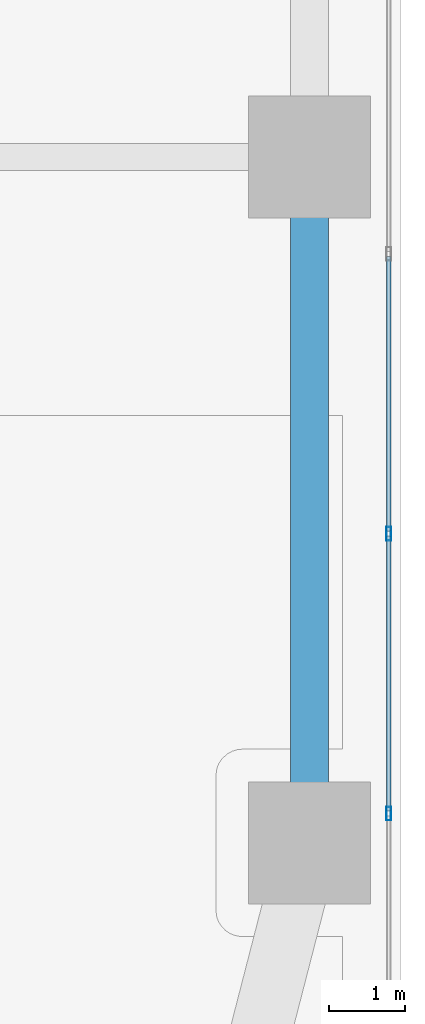
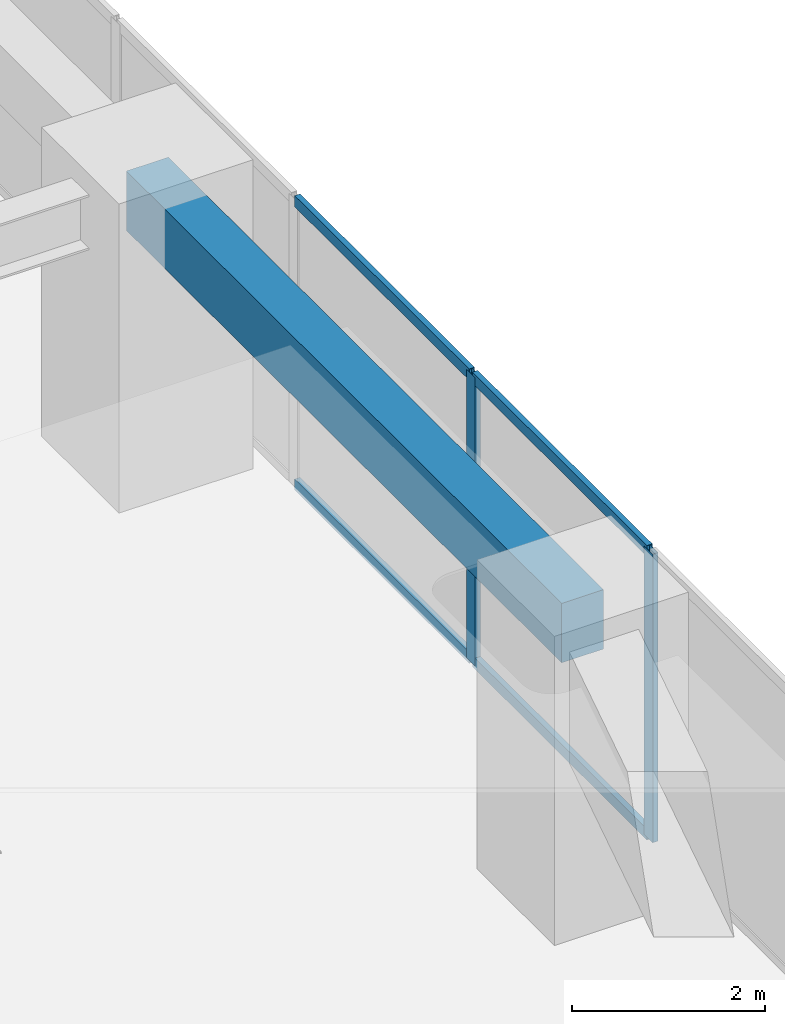
# One storey, part 6 of 28: 6 members, 1 beam, 1 element without a shape of its own.
"""IFC4 building model written with IfcOpenShell, lengths in metres."""

import ifcopenshell
import ifcopenshell.guid

model = None  # the IFC model being written
_history = None  # IfcOwnerHistory: only IFC2X3 demands one
_inside = {}  # id of a spatial element -> (the spatial element, [elements in it])
_under = {}  # id of a project, library or spatial element -> (it, [spatial elements below it])
_declared = {}  # id of a project -> (the project, [libraries it declares])
_typed = {}  # id of a type object -> (the type object, [elements of that type])
_made_of = {}  # id of a material, layer set ... -> (it, [elements and type objects made of it])


def new_model(schema):
    """Start an empty IFC model of exactly this schema.

    Asked for "IFC4X3", IfcOpenShell would pick the latest addendum, in which some entities
    have other attributes; the version numbers below select the first issue.
    IFC2X3 requires an IfcOwnerHistory on every rooted entity: one is made here for all.
    """
    global model, _history
    if schema == "IFC4X3":
        model = ifcopenshell.file(schema_version=(4, 3, 0, 0))
    else:
        model = ifcopenshell.file(schema=schema)
    _inside.clear()
    _under.clear()
    _declared.clear()
    _typed.clear()
    _made_of.clear()
    _history = None
    if model.schema == "IFC2X3":
        org = make("IfcOrganization", Name="unknown")
        user = make(
            "IfcPersonAndOrganization",
            ThePerson=make("IfcPerson", FamilyName="unknown"),
            TheOrganization=org,
        )
        app = make(
            "IfcApplication",
            ApplicationDeveloper=org,
            Version="unknown",
            ApplicationFullName="unknown",
            ApplicationIdentifier="unknown",
        )
        _history = make(
            "IfcOwnerHistory",
            OwningUser=user,
            OwningApplication=app,
            ChangeAction="ADDED",
            CreationDate=0,
        )
    return model


def make(cls, **values):
    """One entity of the class cls with the attributes given. An attribute that is None is left unset."""
    return model.create_entity(
        cls, **{name: value for name, value in values.items() if value is not None}
    )


def rooted(cls, **values):
    """An entity with a GlobalId (a new one), such as an element, a storey or a relation."""
    return make(cls, GlobalId=ifcopenshell.guid.new(), OwnerHistory=_history, **values)


def si_unit(unit_type, name, prefix=None):
    """IfcSIUnit, for example si_unit("LENGTHUNIT", "METRE", prefix="MILLI")."""
    return make("IfcSIUnit", UnitType=unit_type, Prefix=prefix, Name=name)


def assignment(units):
    """IfcUnitAssignment: the units of a project."""
    return None if units is None else make("IfcUnitAssignment", Units=units)


def point(xyz):
    """IfcCartesianPoint."""
    return None if xyz is None else make("IfcCartesianPoint", Coordinates=xyz)


def direction(xyz):
    """IfcDirection."""
    return None if xyz is None else make("IfcDirection", DirectionRatios=xyz)


def frame(location, z_axis=None, x_axis=None):
    """IfcAxis2Placement3D, a coordinate frame: its origin and axes. An axis left out is left unset."""
    return make(
        "IfcAxis2Placement3D",
        Location=point(location),
        Axis=direction(z_axis),
        RefDirection=direction(x_axis),
    )


def frame_2d(location, x_axis=None):
    """IfcAxis2Placement2D, a coordinate frame in the plane: its origin and x axis."""
    return make(
        "IfcAxis2Placement2D", Location=point(location), RefDirection=direction(x_axis)
    )


def origin():
    """The frame at (0, 0, 0) with its axes left unset."""
    return frame((0.0, 0.0, 0.0))


def origin_2d():
    """The frame at (0, 0) in the plane with its x axis left unset."""
    return frame_2d((0.0, 0.0))


def place(relative_to, where):
    """IfcLocalPlacement: puts the frame where relative to a parent placement (None: the world)."""
    return make(
        "IfcLocalPlacement", PlacementRelTo=relative_to, RelativePlacement=where
    )


def context(
    kind, dimensions, precision=None, world=None, true_north=None, identifier=None
):
    """IfcGeometricRepresentationContext, for example the 3D "Model" context."""
    return make(
        "IfcGeometricRepresentationContext",
        ContextIdentifier=identifier,
        ContextType=kind,
        CoordinateSpaceDimension=dimensions,
        Precision=precision,
        WorldCoordinateSystem=world,
        TrueNorth=true_north,
    )


def subcontext(parent, identifier, kind, view, scale=None):
    """IfcGeometricRepresentationSubContext, for example "Body" below "Model"."""
    return make(
        "IfcGeometricRepresentationSubContext",
        ContextIdentifier=identifier,
        ContextType=kind,
        ParentContext=parent,
        TargetScale=scale,
        TargetView=view,
    )


def project(units=None, contexts=None):
    """IfcProject with its units and contexts."""
    return rooted(
        "IfcProject",
        Name="project",
        RepresentationContexts=contexts,
        UnitsInContext=assignment(units),
    )


def spatial(cls, under=None, at=None, **own):
    """A site, building, storey or space (cls), placed at a placement, below another one or the project."""
    s = rooted(cls, ObjectPlacement=at, **own)
    if under is not None:
        _under.setdefault(under.id(), (under, []))[1].append(s)
    return s


def profile(cls, at=None, kind="AREA", **sizes):
    """A parametric profile (cls). Its sizes go by their IFC names, for example OverallWidth=200.0."""
    return make(cls, ProfileType=kind, Position=at, **sizes)


def rectangle(**sizes):
    """IfcRectangleProfileDef."""
    return profile("IfcRectangleProfileDef", **sizes)


def hollow_rectangle(**sizes):
    """IfcRectangleHollowProfileDef."""
    return profile("IfcRectangleHollowProfileDef", **sizes)


def extrude(swept, where, along, depth):
    """IfcExtrudedAreaSolid: the profile swept, set in the frame where, extruded along a direction by depth."""
    return make(
        "IfcExtrudedAreaSolid",
        SweptArea=swept,
        Position=where,
        ExtrudedDirection=direction(along),
        Depth=depth,
    )


def shape(context_of_items, identifier, shape_type, items):
    """IfcShapeRepresentation: the items that make up one representation, for example the "Body"."""
    return make(
        "IfcShapeRepresentation",
        ContextOfItems=context_of_items,
        RepresentationIdentifier=identifier,
        RepresentationType=shape_type,
        Items=items,
    )


def material(Name=None, Category=None):
    """IfcMaterial."""
    return make("IfcMaterial", Name=Name, Category=Category)


def layer(
    of_material, thickness, ventilated=None, Name=None, Category=None, Priority=None
):
    """IfcMaterialLayer: one layer of a wall or slab, of a material (None: an air gap)."""
    return make(
        "IfcMaterialLayer",
        Material=of_material,
        LayerThickness=thickness,
        IsVentilated=ventilated,
        Name=Name,
        Category=Category,
        Priority=Priority,
    )


def layer_set(layers, Name=None):
    """IfcMaterialLayerSet."""
    return make("IfcMaterialLayerSet", MaterialLayers=layers, LayerSetName=Name)


def material_profile(
    of_material, cross_section, Name=None, Category=None, Priority=None
):
    """IfcMaterialProfile: a cross section and its material."""
    return make(
        "IfcMaterialProfile",
        Name=Name,
        Material=of_material,
        Profile=cross_section,
        Priority=Priority,
        Category=Category,
    )


def profile_set(profiles, Name=None, composite=None):
    """IfcMaterialProfileSet."""
    return make(
        "IfcMaterialProfileSet",
        Name=Name,
        MaterialProfiles=profiles,
        CompositeProfile=composite,
    )


def made_of(thing, what):
    """Note that an element or type object is made of a material, layer set ...; save() writes the relation."""
    if what is not None:
        _made_of.setdefault(what.id(), (what, []))[1].append(thing)
    return thing


def type_object(cls, material=None, **own):
    """A type object (cls), such as IfcWallType, which elements share."""
    return made_of(rooted(cls, **own), material)


def element(
    cls,
    number,
    at=None,
    inside=None,
    cuts=None,
    type_object=None,
    material=None,
    context=None,
    identifier="Body",
    shape_type=None,
    held_by="IfcProductDefinitionShape",
    body=None,
    shapes=None,
    **own,
):
    """One element of the class cls, such as IfcWall. Its Tag is "e" and its number.

    at: its placement. inside: the storey or other place that contains it. cuts: it is an
    opening in that element (IfcRelVoidsElement). A single representation is given by context,
    identifier, shape_type and body (its items); several are given by shapes. held_by: the class
    of the entity that holds the representations. save() writes the other relations.
    """
    e = rooted(cls, Tag="e%d" % number, ObjectPlacement=at, **own)
    if body is not None:
        shapes = [shape(context, identifier, shape_type, body)]
    if shapes is not None:
        e.Representation = make(held_by, Representations=shapes)
    if inside is not None:
        _inside.setdefault(inside.id(), (inside, []))[1].append(e)
    if cuts is not None:
        rooted(
            "IfcRelVoidsElement", RelatingBuildingElement=cuts, RelatedOpeningElement=e
        )
    if type_object is not None:
        _typed.setdefault(type_object.id(), (type_object, []))[1].append(e)
    return made_of(e, material)


def aggregate(whole, parts):
    """IfcRelAggregates: a whole, such as a stair, and the parts it consists of."""
    return rooted("IfcRelAggregates", RelatingObject=whole, RelatedObjects=parts)


def save(model, path):
    """Write the relations noted so far, then the file.

    IfcRelAggregates (storeys below a building ...), IfcRelContainedInSpatialStructure (elements
    in a storey), IfcRelDefinesByType, IfcRelAssociatesMaterial and IfcRelDeclares: one each for
    every whole, place, type object, material and project.
    """
    for whole, parts in _under.values():
        aggregate(whole, parts)
    for where, things in _inside.values():
        rooted(
            "IfcRelContainedInSpatialStructure",
            RelatedElements=things,
            RelatingStructure=where,
        )
    for kind, things in _typed.values():
        rooted("IfcRelDefinesByType", RelatedObjects=things, RelatingType=kind)
    for what, things in _made_of.values():
        rooted("IfcRelAssociatesMaterial", RelatedObjects=things, RelatingMaterial=what)
    for by, libraries in _declared.values():
        rooted("IfcRelDeclares", RelatingContext=by, RelatedDefinitions=libraries)
    model.write(path)


model = new_model("IFC4")

# Units and contexts
model_context = context("Model", 3, precision=1e-05, world=origin(), true_north=direction((0.0, 1.0)))
body_context = subcontext(model_context, "Body", "Model", "MODEL_VIEW")
ifc_project = project(units=[si_unit("LENGTHUNIT", "METRE"), si_unit("AREAUNIT", "SQUARE_METRE"), si_unit("VOLUMEUNIT", "CUBIC_METRE"), si_unit("PLANEANGLEUNIT", "RADIAN"), si_unit("MASSUNIT", "GRAM", prefix="KILO")], contexts=[model_context])

# Site, building, storey
site_placement = place(None, origin())
site = spatial("IfcSite", under=ifc_project, at=site_placement, CompositionType="ELEMENT")
building_placement = place(site_placement, origin())
building = spatial("IfcBuilding", under=site, at=building_placement, Name="Kiyonajd Concourse Tower", CompositionType="ELEMENT")
storey_placement = place(building_placement, frame((0.0, 0.0, 64.5)))
storey = spatial("IfcBuildingStorey", under=building, at=storey_placement, Name="L17", CompositionType="ELEMENT", Elevation=64.5)

# Beam
ifc_material_1 = material(Name="Precast concrete C50/60", Category="concrete")
ifc_material_profile_1 = material_profile(ifc_material_1, rectangle(XDim=0.5, YDim=0.75, at=origin_2d()), Name="RCBM-500x750")
ifc_profile_set_1 = profile_set([ifc_material_profile_1], Name="Precast concrete C50/60")
beam_type = type_object("IfcBeamType", Name="BM-SPAN-RC", PredefinedType="SPANDREL", material=ifc_profile_set_1)
beam_placement = place(storey_placement, frame((78.0, 18.60009765625, 3.264892578125), z_axis=(0.0, 1.0, 0.0), x_axis=(-1.0, 0.0, 0.0)))
element("IfcBeam", 1, at=beam_placement, inside=storey, type_object=beam_type, Name="L17 Perimeter Bundled Tube Spandrel", PredefinedType="SPANDREL", context=body_context, shape_type="SweptSolid", body=[
    extrude(rectangle(XDim=0.5, YDim=0.75, at=origin_2d()), origin(), (0.0, 0.0, 1.0), 9.0),
])

# Curtain wall, members
ifc_material_2 = material(Name="Thermally Broken Anodised Aluminium", Category="aluminium")
ifc_layer = layer(ifc_material_2, 0.179931640625)
ifc_layer_set = layer_set([ifc_layer], Name="Thermally Broken Anodised Aluminium")
curtain_wall_type = type_object("IfcCurtainWallType", Name="CW-SYS-02", PredefinedType="NOTDEFINED", material=ifc_layer_set)
curtain_wall_placement = place(storey_placement, origin())
curtain_wall = element("IfcCurtainWall", 2, at=curtain_wall_placement, inside=storey, type_object=curtain_wall_type, Name="L17 Unitised Curtain Wall CW2", PredefinedType="NOTDEFINED")
ifc_material_profile_2 = material_profile(ifc_material_2, hollow_rectangle(XDim=0.06494140625, YDim=0.179931640625, WallThickness=0.00390625, at=origin_2d()), Name="MULL-65x180")
ifc_profile_set_2 = profile_set([ifc_material_profile_2], Name="Thermally Broken Anodised Aluminium")
member_type_1 = type_object("IfcMemberType", Name="MB-CW-MULL1", PredefinedType="MULLION", material=ifc_profile_set_2)
member_1_placement = place(storey_placement, frame((79.0400390625, 22.657470703125, 0.0), z_axis=(0.0, 0.0, 1.0), x_axis=(1.0, 0.0, 0.0)))
member_1 = element("IfcMember", 3, at=member_1_placement, type_object=member_type_1, Name="CW2 mullion 5", PredefinedType="MULLION", context=body_context, shape_type="SweptSolid", body=[
    extrude(hollow_rectangle(XDim=0.06494140625, YDim=0.179931640625, WallThickness=0.00390625, at=origin_2d()), origin(), (0.0, 0.0, 1.0), 3.639892578125),
])
member_2_placement = place(storey_placement, frame((79.0400390625, 18.984130859375, 0.0), z_axis=(0.0, 0.0, 1.0), x_axis=(1.0, 0.0, 0.0)))
member_2 = element("IfcMember", 4, at=member_2_placement, type_object=member_type_1, Name="CW2 mullion 6", PredefinedType="MULLION", context=body_context, shape_type="SweptSolid", body=[
    extrude(hollow_rectangle(XDim=0.06494140625, YDim=0.179931640625, WallThickness=0.00390625, at=origin_2d()), origin(), (0.0, 0.0, 1.0), 3.639892578125),
])
ifc_material_profile_3 = material_profile(ifc_material_2, hollow_rectangle(XDim=0.06494140625, YDim=0.139892578125, WallThickness=0.00390625, at=origin_2d()), Name="TRAN-65x140")
ifc_profile_set_3 = profile_set([ifc_material_profile_3], Name="Thermally Broken Anodised Aluminium")
member_type_2 = type_object("IfcMemberType", Name="MB-CW-TRAN1", PredefinedType="USERDEFINED", material=ifc_profile_set_3)
member_3_placement = place(storey_placement, frame((79.0400390625, 26.298095703125, 0.032470703125), z_axis=(0.0, -1.0, 0.0), x_axis=(1.0, 0.0, 0.0)))
member_3 = element("IfcMember", 5, at=member_3_placement, type_object=member_type_2, Name="CW2 transom 4.1", ObjectType="TRANSOM", PredefinedType="USERDEFINED", context=body_context, shape_type="SweptSolid", body=[
    extrude(hollow_rectangle(XDim=0.06494140625, YDim=0.139892578125, WallThickness=0.00390625, at=origin_2d()), origin(), (0.0, 0.0, 1.0), 3.608154296875),
])
member_4_placement = place(storey_placement, frame((79.0400390625, 26.298095703125, 3.607421875), z_axis=(0.0, -1.0, 0.0), x_axis=(1.0, 0.0, 0.0)))
member_4 = element("IfcMember", 6, at=member_4_placement, type_object=member_type_2, Name="CW2 transom 4.2", ObjectType="TRANSOM", PredefinedType="USERDEFINED", context=body_context, shape_type="SweptSolid", body=[
    extrude(hollow_rectangle(XDim=0.06494140625, YDim=0.139892578125, WallThickness=0.00390625, at=origin_2d()), origin(), (0.0, 0.0, 1.0), 3.608154296875),
])
member_5_placement = place(storey_placement, frame((79.0400390625, 22.625, 0.032470703125), z_axis=(0.0, -1.0, 0.0), x_axis=(1.0, 0.0, 0.0)))
member_5 = element("IfcMember", 7, at=member_5_placement, type_object=member_type_2, Name="CW2 transom 5.1", ObjectType="TRANSOM", PredefinedType="USERDEFINED", context=body_context, shape_type="SweptSolid", body=[
    extrude(hollow_rectangle(XDim=0.06494140625, YDim=0.139892578125, WallThickness=0.00390625, at=origin_2d()), origin(), (0.0, 0.0, 1.0), 3.608154296875),
])
member_6_placement = place(storey_placement, frame((79.0400390625, 22.625, 3.607421875), z_axis=(0.0, -1.0, 0.0), x_axis=(1.0, 0.0, 0.0)))
member_6 = element("IfcMember", 8, at=member_6_placement, type_object=member_type_2, Name="CW2 transom 5.2", ObjectType="TRANSOM", PredefinedType="USERDEFINED", context=body_context, shape_type="SweptSolid", body=[
    extrude(hollow_rectangle(XDim=0.06494140625, YDim=0.139892578125, WallThickness=0.00390625, at=origin_2d()), origin(), (0.0, 0.0, 1.0), 3.608154296875),
])
aggregate(curtain_wall, [member_1, member_2, member_3, member_4, member_5, member_6])

save(model, "model.ifc")
